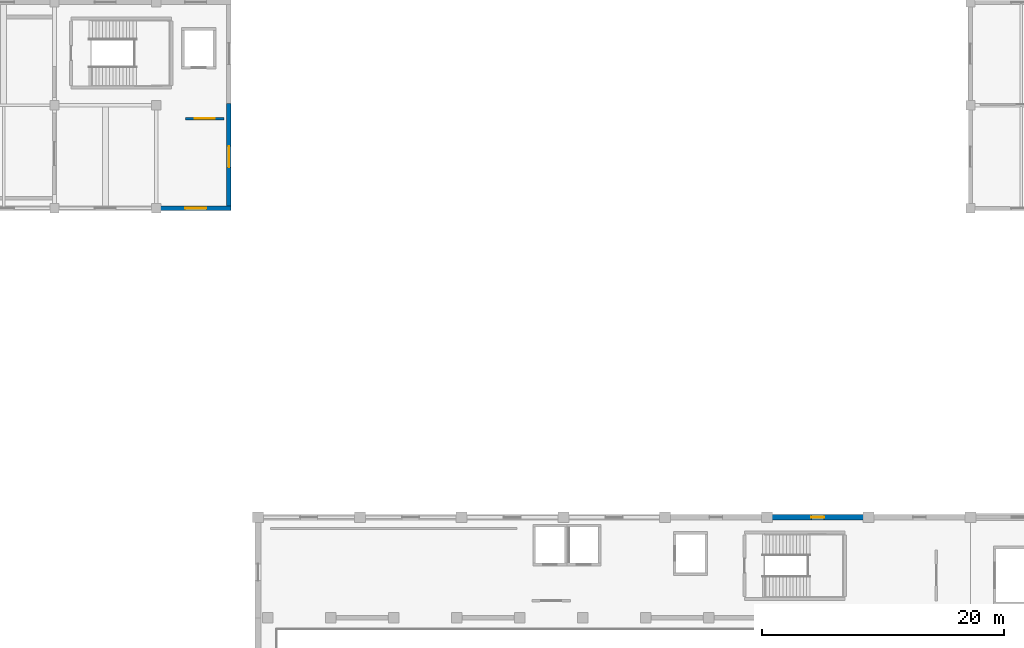
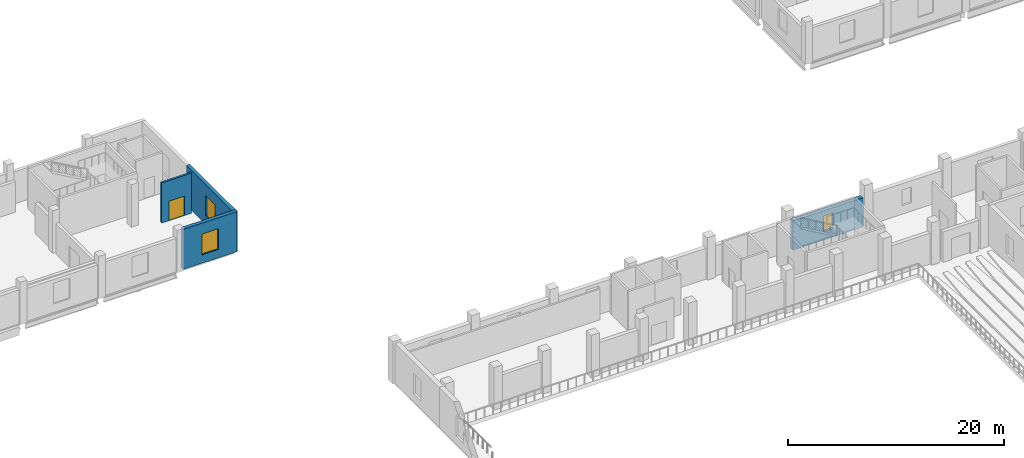
# One storey, part 62 of 77: 4 walls, 3 windows, 1 door, 4 openings.
"""IFC4 building model written with IfcOpenShell, lengths in metres."""

from ifc_helpers import new_model, si_unit, direction, frame, frame_2d, origin, place, context, subcontext, project, spatial, rectangle, extrude, material, layer, layer_set, type_object, element, fill, save


model = new_model("IFC4")

# Units and contexts
model_context = context("Model", 3, precision=1e-05, world=origin(), true_north=direction((0.0, 1.0)))
body_context = subcontext(model_context, "Body", "Model", "MODEL_VIEW")
ifc_project = project(units=[si_unit("LENGTHUNIT", "METRE"), si_unit("AREAUNIT", "SQUARE_METRE"), si_unit("VOLUMEUNIT", "CUBIC_METRE"), si_unit("PLANEANGLEUNIT", "RADIAN"), si_unit("MASSUNIT", "GRAM", prefix="KILO")], contexts=[model_context])

# Site, building, storey
site_placement = place(None, origin())
site = spatial("IfcSite", under=ifc_project, at=site_placement, CompositionType="ELEMENT")
building_placement = place(site_placement, origin())
building = spatial("IfcBuilding", under=site, at=building_placement, Name="Solvento Point Concert Hall", CompositionType="ELEMENT")
storey_placement = place(building_placement, frame((0.0, 0.0, 10.199951171875)))
storey = spatial("IfcBuildingStorey", under=building, at=storey_placement, Name="L02", CompositionType="ELEMENT", Elevation=10.199951171875)

# Wall, opening, door
ifc_material_1 = material(Name="Acoustic Double-Stud Gypsum Partition")
ifc_layer_1 = layer(ifc_material_1, 0.2080078125)
ifc_layer_set_1 = layer_set([ifc_layer_1], Name="Acoustic Double-Stud Gypsum Partition")
wall_type_1 = type_object("IfcWallType", Name="AcousticPartition_208", PredefinedType="PARTITIONING", material=ifc_layer_set_1)
wall_1_placement = place(storey_placement, frame((68.39990234375, 126.39990234375, 0.0), z_axis=(0.0, 0.0, 1.0), x_axis=(1.0, 0.0, 0.0)))
wall_1 = element("IfcWall", 1, at=wall_1_placement, inside=storey, type_object=wall_type_1, Name="Lift lobby partition LP-03 L02", PredefinedType="PARTITIONING", context=body_context, shape_type="SweptSolid", body=[
    extrude(rectangle(XDim=3.2001953125, YDim=0.2080078125, at=frame_2d((1.60009765625, 0.0))), origin(), (0.0, 0.0, 1.0), 4.5400390625),
])
opening_1_placement = place(wall_1_placement, frame((0.77490234375, 0.0, 0.0)))
opening_1 = element("IfcOpeningElement", 2, at=opening_1_placement, cuts=wall_1, Name="Opening D-FL1", PredefinedType="OPENING", context=body_context, shape_type="SweptSolid", body=[
    extrude(rectangle(XDim=1.64990234375, YDim=2.199951171875, at=frame_2d((0.824951171875, 1.10009765625))), frame((0.0, 0.114013671875, 0.0), z_axis=(0.0, -1.0, 0.0), x_axis=(1.0, 0.0, 0.0)), (0.0, 0.0, 1.0), 0.22802734375),
])
ifc_material_2 = material(Name="Hollow Metal Acoustic Fire Door")
door_type = type_object("IfcDoorType", Name="FireLobbyDoor_1600", OperationType="DOUBLE_DOOR_SINGLE_SWING", PredefinedType="DOOR", material=ifc_material_2)
door_placement = place(opening_1_placement, origin())
door = element("IfcDoor", 3, at=door_placement, inside=storey, type_object=door_type, Name="Lift lobby door LP-03 L02", OperationType="DOUBLE_DOOR_SINGLE_SWING", OverallHeight=2.199951171875, OverallWidth=1.64990234375, PredefinedType="DOOR", context=body_context, shape_type="SweptSolid", body=[
    extrude(rectangle(XDim=1.64990234375, YDim=2.199951171875, at=frame_2d((0.824951171875, 1.10009765625))), frame((0.0, 0.02490234375, 0.0), z_axis=(0.0, -1.0, 0.0), x_axis=(1.0, 0.0, 0.0)), (0.0, 0.0, 1.0), 0.050048828125),
])
fill(opening_1, door)

# Wall, opening, window
ifc_material_3 = material(Name="Concrete C40/50", Category="concrete")
ifc_layer_2 = layer(ifc_material_3, 0.47998046875)
ifc_layer_set_2 = layer_set([ifc_layer_2], Name="Concrete C40/50")
wall_type_2 = type_object("IfcWallType", Name="ExtWall_V1_Drum_480", PredefinedType="SOLIDWALL", material=ifc_layer_set_2)
wall_2_placement = place(storey_placement, frame((116.830078125, 93.5, 0.0), z_axis=(0.0, 0.0, 1.0), x_axis=(1.0, 0.0, 0.0)))
wall_2 = element("IfcWall", 4, at=wall_2_placement, inside=storey, type_object=wall_type_2, Name="Exterior architectural concrete wall EW-46 L02", PredefinedType="SOLIDWALL", context=body_context, shape_type="SweptSolid", body=[
    extrude(rectangle(XDim=7.5400390625, YDim=0.47998046875, at=frame_2d((3.77001953125, 0.0))), origin(), (0.0, 0.0, 1.0), 3.318115234375),
])
opening_2_placement = place(wall_2_placement, frame((3.2451171875, 0.0, 0.949951171875)))
opening_2 = element("IfcOpeningElement", 5, at=opening_2_placement, cuts=wall_2, Name="Opening WN-89", PredefinedType="OPENING", context=body_context, shape_type="SweptSolid", body=[
    extrude(rectangle(XDim=1.050048828125, YDim=1.800048828125, at=frame_2d((0.52490234375, 0.89990234375))), frame((0.0, 0.25, 0.0), z_axis=(0.0, -1.0, 0.0), x_axis=(1.0, 0.0, 0.0)), (0.0, 0.0, 1.0), 0.5),
])
ifc_material_4 = material(Name="Hurricane Laminated Low-E Glass", Category="glass")
window_type_1 = type_object("IfcWindowType", Name="Win_NarrowPier_1050", PartitioningType="SINGLE_PANEL", PredefinedType="WINDOW", material=ifc_material_4)
window_1_placement = place(opening_2_placement, origin())
window_1 = element("IfcWindow", 6, at=window_1_placement, inside=storey, type_object=window_type_1, Name="Impact acoustic window WN-89", OverallHeight=1.800048828125, OverallWidth=1.050048828125, PartitioningType="SINGLE_PANEL", PredefinedType="WINDOW", context=body_context, shape_type="SweptSolid", body=[
    extrude(rectangle(XDim=1.050048828125, YDim=1.800048828125, at=frame_2d((0.52490234375, 0.89990234375))), frame((0.0, 0.030029296875, 0.0), z_axis=(0.0, -1.0, 0.0), x_axis=(1.0, 0.0, 0.0)), (0.0, 0.0, 1.0), 0.06005859375),
])
fill(opening_2, window_1)

ifc_material_5 = material(Name="Concrete C40/50", Category="concrete")
ifc_layer_3 = layer(ifc_material_5, 0.3701171875)
ifc_layer_set_3 = layer_set([ifc_layer_3], Name="Concrete C40/50")
wall_type_3 = type_object("IfcWallType", Name="ExtWall_V4_Reh_370", PredefinedType="SOLIDWALL", material=ifc_layer_set_3)
wall_3_placement = place(storey_placement, frame((72.0, 127.659912109375, 0.0), z_axis=(0.0, 0.0, 1.0), x_axis=(0.0, -1.0, 0.0)))
wall_3 = element("IfcWall", 7, at=wall_3_placement, inside=storey, type_object=wall_type_3, Name="Exterior architectural concrete wall EW-85 L02", PredefinedType="SOLIDWALL", context=body_context, shape_type="SweptSolid", body=[
    extrude(rectangle(XDim=8.81982421875, YDim=0.3701171875, at=frame_2d((4.409912109375, 0.0))), origin(), (0.0, 0.0, 1.0), 4.5400390625),
])
opening_3_placement = place(wall_3_placement, frame((3.534912109375, 0.0, 0.949951171875)))
opening_3 = element("IfcOpeningElement", 8, at=opening_3_placement, cuts=wall_3, Name="Opening WN-70", PredefinedType="OPENING", context=body_context, shape_type="SweptSolid", body=[
    extrude(rectangle(XDim=1.75, YDim=2.35009765625, at=frame_2d((0.875, 1.175048828125))), frame((0.0, 0.195068359375, 0.0), z_axis=(0.0, -1.0, 0.0), x_axis=(1.0, 0.0, 0.0)), (0.0, 0.0, 1.0), 0.39013671875),
])
ifc_material_6 = material(Name="Hurricane Laminated Low-E Glass", Category="glass")
window_type_2 = type_object("IfcWindowType", Name="Win_V4_Rehearsal_L02", PartitioningType="SINGLE_PANEL", PredefinedType="WINDOW", material=ifc_material_6)
window_2_placement = place(opening_3_placement, origin())
window_2 = element("IfcWindow", 9, at=window_2_placement, inside=storey, type_object=window_type_2, Name="Impact acoustic window WN-70", OverallHeight=2.35009765625, OverallWidth=1.75, PartitioningType="SINGLE_PANEL", PredefinedType="WINDOW", context=body_context, shape_type="SweptSolid", body=[
    extrude(rectangle(XDim=1.75, YDim=2.35009765625, at=frame_2d((0.875, 1.175048828125))), frame((0.0, 0.030029296875, 0.0), z_axis=(0.0, -1.0, 0.0), x_axis=(1.0, 0.0, 0.0)), (0.0, 0.0, 1.0), 0.06005859375),
])
fill(opening_3, window_2)

wall_4_placement = place(storey_placement, frame((72.159912109375, 119.0, 0.0), z_axis=(0.0, 0.0, 1.0), x_axis=(-1.0, 0.0, 0.0)))
wall_4 = element("IfcWall", 10, at=wall_4_placement, inside=storey, type_object=wall_type_3, Name="Exterior architectural concrete wall EW-85 L02", PredefinedType="SOLIDWALL", context=body_context, shape_type="SweptSolid", body=[
    extrude(rectangle(XDim=5.804931640625, YDim=0.3701171875, at=frame_2d((2.90234375, 0.0))), origin(), (0.0, 0.0, 1.0), 4.5400390625),
])
opening_4_placement = place(wall_4_placement, frame((2.027587890625, 0.0, 0.949951171875)))
opening_4 = element("IfcOpeningElement", 11, at=opening_4_placement, cuts=wall_4, Name="Opening WN-70", PredefinedType="OPENING", context=body_context, shape_type="SweptSolid", body=[
    extrude(rectangle(XDim=1.75, YDim=2.35009765625, at=frame_2d((0.875, 1.175048828125))), frame((0.0, 0.195068359375, 0.0), z_axis=(0.0, -1.0, 0.0), x_axis=(1.0, 0.0, 0.0)), (0.0, 0.0, 1.0), 0.39013671875),
])
window_3_placement = place(opening_4_placement, origin())
window_3 = element("IfcWindow", 12, at=window_3_placement, inside=storey, type_object=window_type_2, Name="Impact acoustic window WN-70", OverallHeight=2.35009765625, OverallWidth=1.75, PartitioningType="SINGLE_PANEL", PredefinedType="WINDOW", context=body_context, shape_type="SweptSolid", body=[
    extrude(rectangle(XDim=1.75, YDim=2.35009765625, at=frame_2d((0.875, 1.175048828125))), frame((0.0, 0.030029296875, 0.0), z_axis=(0.0, -1.0, 0.0), x_axis=(1.0, 0.0, 0.0)), (0.0, 0.0, 1.0), 0.06005859375),
])
fill(opening_4, window_3)

save(model, "model.ifc")
